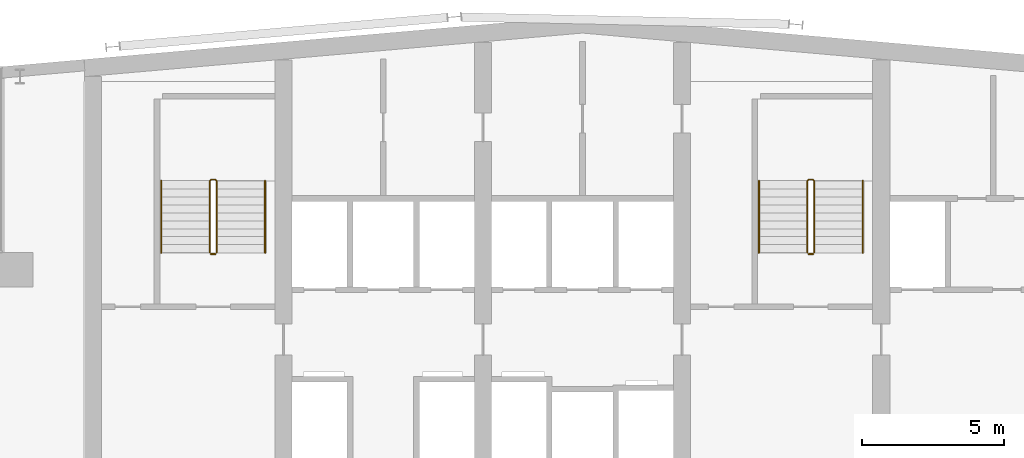
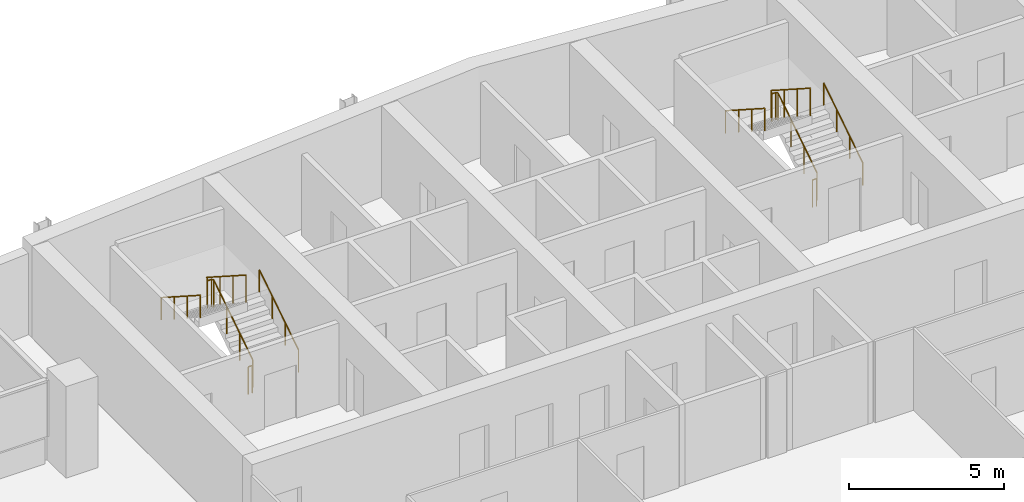
# One storey, part 22 of 22: 8 railings.
"""IFC4 building model written with IfcOpenShell, lengths in metres."""

from ifc_helpers import new_model, si_unit, direction, frame, origin, origin_2d, place, context, subcontext, project, spatial, circle, extrude, material, type_object, element, save


model = new_model("IFC4")

# Units and contexts
model_context = context("Model", 3, precision=1e-05, world=origin(), true_north=direction((0.0, 1.0)))
body_context = subcontext(model_context, "Body", "Model", "MODEL_VIEW")
ifc_project = project(units=[si_unit("LENGTHUNIT", "METRE"), si_unit("AREAUNIT", "SQUARE_METRE"), si_unit("VOLUMEUNIT", "CUBIC_METRE"), si_unit("PLANEANGLEUNIT", "RADIAN"), si_unit("MASSUNIT", "GRAM", prefix="KILO")], contexts=[model_context])

# Site, building, storey
site_placement = place(None, origin())
site = spatial("IfcSite", under=ifc_project, at=site_placement, CompositionType="ELEMENT")
building_placement = place(site_placement, origin())
building = spatial("IfcBuilding", under=site, at=building_placement, Name="Wharfspan Tower", CompositionType="ELEMENT")
storey_placement = place(building_placement, frame((0.0, 0.0, 246.699951)))
storey = spatial("IfcBuildingStorey", under=building, at=storey_placement, Name="L62", CompositionType="ELEMENT", Elevation=246.699951)

# Railings
ifc_material = material(Name="Steel S355J2", Category="steel")
railing_type_1 = type_object("IfcRailingType", Name="Stair guard 1100", PredefinedType="GUARDRAIL", material=ifc_material)
railing_1_placement = place(storey_placement, frame((27.649902, 42.0, 0.179932)))
element("IfcRailing", 1, at=railing_1_placement, inside=storey, type_object=railing_type_1, Name="L62 ST1 stair guard 1", PredefinedType="GUARDRAIL", context=body_context, shape_type="SweptSolid", body=[
    extrude(circle(Radius=0.023926, at=origin_2d()), frame((0.0, 0.0, 1.076172), z_axis=(0.0, 0.841163, 0.540782), x_axis=(-1.0, 0.0, 0.0)), (0.0, 0.0, 1.0), 2.99585),
    extrude(circle(Radius=0.023926, at=origin_2d()), frame((0.0, 2.52002, 2.696289), z_axis=(-0.705376, 0.708834, 0.0), x_axis=(-0.708834, -0.705376, 0.0)), (0.0, 0.0, 1.0), 0.070557),
    extrude(circle(Radius=0.023926, at=origin_2d()), frame((-0.049805, 2.570068, 2.696289), z_axis=(-1.0, 0.0, 0.0), x_axis=(0.0, -1.0, 0.0)), (0.0, 0.0, 1.0), 0.150146),
    extrude(circle(Radius=0.023926, at=origin_2d()), frame((-0.199951, 2.570068, 2.696289), z_axis=(-0.258848, -0.258848, 0.930589), x_axis=(0.707107, -0.707107, 0.0)), (0.0, 0.0, 1.0), 0.193359),
    extrude(circle(Radius=0.023926, at=origin_2d()), frame((-0.25, 2.52002, 2.875977), z_axis=(0.0, -0.841163, 0.540782), x_axis=(1.0, 0.0, 0.0)), (0.0, 0.0, 1.0), 2.99585),
    extrude(circle(Radius=0.020996, at=origin_2d()), origin(), (0.0, 0.0, 1.0), 1.052002),
    extrude(circle(Radius=0.020996, at=origin_2d()), frame((0.0, 0.840088, 0.540039)), (0.0, 0.0, 1.0), 1.052002),
    extrude(circle(Radius=0.020996, at=origin_2d()), frame((0.0, 1.679932, 1.080078)), (0.0, 0.0, 1.0), 1.052002),
    extrude(circle(Radius=0.020996, at=origin_2d()), frame((0.0, 2.52002, 1.620117)), (0.0, 0.0, 1.0), 1.052002),
    extrude(circle(Radius=0.020996, at=origin_2d()), frame((-0.049805, 2.570068, 1.620117)), (0.0, 0.0, 1.0), 1.052002),
    extrude(circle(Radius=0.020996, at=origin_2d()), frame((-0.199951, 2.570068, 1.620117)), (0.0, 0.0, 1.0), 1.052002),
    extrude(circle(Radius=0.020996, at=origin_2d()), frame((-0.25, 2.52002, 1.800049)), (0.0, 0.0, 1.0), 1.052002),
    extrude(circle(Radius=0.020996, at=origin_2d()), frame((-0.25, 1.679932, 2.340088)), (0.0, 0.0, 1.0), 1.052002),
    extrude(circle(Radius=0.020996, at=origin_2d()), frame((-0.25, 0.840088, 2.880127)), (0.0, 0.0, 1.0), 1.052002),
    extrude(circle(Radius=0.020996, at=origin_2d()), frame((-0.25, 0.0, 3.420166)), (0.0, 0.0, 1.0), 1.052002),
])
railing_2_placement = place(storey_placement, frame((27.600098, 41.949951, 0.0)))
element("IfcRailing", 2, at=railing_2_placement, inside=storey, type_object=railing_type_1, Name="L62 ST1 stair guard 2", PredefinedType="GUARDRAIL", context=body_context, shape_type="SweptSolid", body=[
    extrude(circle(Radius=0.023926, at=origin_2d()), frame((0.0, 0.0, 1.076172), z_axis=(-1.0, 0.0, 0.0), x_axis=(0.0, -1.0, 0.0)), (0.0, 0.0, 1.0), 0.150146),
    extrude(circle(Radius=0.020996, at=origin_2d()), origin(), (0.0, 0.0, 1.0), 1.052002),
    extrude(circle(Radius=0.020996, at=origin_2d()), frame((-0.150146, 0.0, 0.0)), (0.0, 0.0, 1.0), 1.052002),
])
railing_3_placement = place(storey_placement, frame((48.649902, 42.0, 0.179932)))
element("IfcRailing", 3, at=railing_3_placement, inside=storey, type_object=railing_type_1, Name="L62 ST2 stair guard 1", PredefinedType="GUARDRAIL", context=body_context, shape_type="SweptSolid", body=[
    extrude(circle(Radius=0.023926, at=origin_2d()), frame((0.0, 0.0, 1.076172), z_axis=(0.0, 0.841163, 0.540782), x_axis=(-1.0, 0.0, 0.0)), (0.0, 0.0, 1.0), 2.99585),
    extrude(circle(Radius=0.023926, at=origin_2d()), frame((0.0, 2.52002, 2.696289), z_axis=(-0.705376, 0.708834, 0.0), x_axis=(-0.708834, -0.705376, 0.0)), (0.0, 0.0, 1.0), 0.070557),
    extrude(circle(Radius=0.023926, at=origin_2d()), frame((-0.049805, 2.570068, 2.696289), z_axis=(-1.0, 0.0, 0.0), x_axis=(0.0, -1.0, 0.0)), (0.0, 0.0, 1.0), 0.150146),
    extrude(circle(Radius=0.023926, at=origin_2d()), frame((-0.199951, 2.570068, 2.696289), z_axis=(-0.258848, -0.258848, 0.930589), x_axis=(0.707107, -0.707107, 0.0)), (0.0, 0.0, 1.0), 0.193359),
    extrude(circle(Radius=0.023926, at=origin_2d()), frame((-0.25, 2.52002, 2.875977), z_axis=(0.0, -0.841163, 0.540782), x_axis=(1.0, 0.0, 0.0)), (0.0, 0.0, 1.0), 2.99585),
    extrude(circle(Radius=0.020996, at=origin_2d()), origin(), (0.0, 0.0, 1.0), 1.052002),
    extrude(circle(Radius=0.020996, at=origin_2d()), frame((0.0, 0.840088, 0.540039)), (0.0, 0.0, 1.0), 1.052002),
    extrude(circle(Radius=0.020996, at=origin_2d()), frame((0.0, 1.679932, 1.080078)), (0.0, 0.0, 1.0), 1.052002),
    extrude(circle(Radius=0.020996, at=origin_2d()), frame((0.0, 2.52002, 1.620117)), (0.0, 0.0, 1.0), 1.052002),
    extrude(circle(Radius=0.020996, at=origin_2d()), frame((-0.049805, 2.570068, 1.620117)), (0.0, 0.0, 1.0), 1.052002),
    extrude(circle(Radius=0.020996, at=origin_2d()), frame((-0.199951, 2.570068, 1.620117)), (0.0, 0.0, 1.0), 1.052002),
    extrude(circle(Radius=0.020996, at=origin_2d()), frame((-0.25, 2.52002, 1.800049)), (0.0, 0.0, 1.0), 1.052002),
    extrude(circle(Radius=0.020996, at=origin_2d()), frame((-0.25, 1.679932, 2.340088)), (0.0, 0.0, 1.0), 1.052002),
    extrude(circle(Radius=0.020996, at=origin_2d()), frame((-0.25, 0.840088, 2.880127)), (0.0, 0.0, 1.0), 1.052002),
    extrude(circle(Radius=0.020996, at=origin_2d()), frame((-0.25, 0.0, 3.420166)), (0.0, 0.0, 1.0), 1.052002),
])
railing_4_placement = place(storey_placement, frame((48.600098, 41.949951, 0.0)))
element("IfcRailing", 4, at=railing_4_placement, inside=storey, type_object=railing_type_1, Name="L62 ST2 stair guard 2", PredefinedType="GUARDRAIL", context=body_context, shape_type="SweptSolid", body=[
    extrude(circle(Radius=0.023926, at=origin_2d()), frame((0.0, 0.0, 1.076172), z_axis=(-1.0, 0.0, 0.0), x_axis=(0.0, -1.0, 0.0)), (0.0, 0.0, 1.0), 0.150146),
    extrude(circle(Radius=0.020996, at=origin_2d()), origin(), (0.0, 0.0, 1.0), 1.052002),
    extrude(circle(Radius=0.020996, at=origin_2d()), frame((-0.150146, 0.0, 0.0)), (0.0, 0.0, 1.0), 1.052002),
])
railing_type_2 = type_object("IfcRailingType", Name="Stair handrail 900", PredefinedType="HANDRAIL", material=ifc_material)
railing_5_placement = place(storey_placement, frame((29.350098, 42.0, 0.179932)))
element("IfcRailing", 5, at=railing_5_placement, inside=storey, type_object=railing_type_2, Name="L62 ST1 stair handrail 1", PredefinedType="HANDRAIL", context=body_context, shape_type="SweptSolid", body=[
    extrude(circle(Radius=0.023926, at=origin_2d()), frame((0.0, 0.0, 0.875977), z_axis=(0.0, 0.841163, 0.540782), x_axis=(-1.0, 0.0, 0.0)), (0.0, 0.0, 1.0), 2.99585),
    extrude(circle(Radius=0.020996, at=origin_2d()), origin(), (0.0, 0.0, 1.0), 0.851807),
    extrude(circle(Radius=0.020996, at=origin_2d()), frame((0.0, 0.840088, 0.540039)), (0.0, 0.0, 1.0), 0.851807),
    extrude(circle(Radius=0.020996, at=origin_2d()), frame((0.0, 1.679932, 1.080078)), (0.0, 0.0, 1.0), 0.851807),
    extrude(circle(Radius=0.020996, at=origin_2d()), frame((0.0, 2.52002, 1.620117)), (0.0, 0.0, 1.0), 0.851807),
])
railing_6_placement = place(storey_placement, frame((25.699951, 44.52002, 1.97998)))
element("IfcRailing", 6, at=railing_6_placement, inside=storey, type_object=railing_type_2, Name="L62 ST1 stair handrail 2", PredefinedType="HANDRAIL", context=body_context, shape_type="SweptSolid", body=[
    extrude(circle(Radius=0.023926, at=origin_2d()), frame((0.0, 0.0, 0.875977), z_axis=(0.0, -0.841163, 0.540782), x_axis=(1.0, 0.0, 0.0)), (0.0, 0.0, 1.0), 2.99585),
    extrude(circle(Radius=0.020996, at=origin_2d()), origin(), (0.0, 0.0, 1.0), 0.851807),
    extrude(circle(Radius=0.020996, at=origin_2d()), frame((0.0, -0.840088, 0.540039)), (0.0, 0.0, 1.0), 0.851807),
    extrude(circle(Radius=0.020996, at=origin_2d()), frame((0.0, -1.679932, 1.080078)), (0.0, 0.0, 1.0), 0.851807),
    extrude(circle(Radius=0.020996, at=origin_2d()), frame((0.0, -2.52002, 1.620117)), (0.0, 0.0, 1.0), 0.851807),
])
railing_7_placement = place(storey_placement, frame((50.350098, 42.0, 0.179932)))
element("IfcRailing", 7, at=railing_7_placement, inside=storey, type_object=railing_type_2, Name="L62 ST2 stair handrail 1", PredefinedType="HANDRAIL", context=body_context, shape_type="SweptSolid", body=[
    extrude(circle(Radius=0.023926, at=origin_2d()), frame((0.0, 0.0, 0.875977), z_axis=(0.0, 0.841163, 0.540782), x_axis=(-1.0, 0.0, 0.0)), (0.0, 0.0, 1.0), 2.99585),
    extrude(circle(Radius=0.020996, at=origin_2d()), origin(), (0.0, 0.0, 1.0), 0.851807),
    extrude(circle(Radius=0.020996, at=origin_2d()), frame((0.0, 0.840088, 0.540039)), (0.0, 0.0, 1.0), 0.851807),
    extrude(circle(Radius=0.020996, at=origin_2d()), frame((0.0, 1.679932, 1.080078)), (0.0, 0.0, 1.0), 0.851807),
    extrude(circle(Radius=0.020996, at=origin_2d()), frame((0.0, 2.52002, 1.620117)), (0.0, 0.0, 1.0), 0.851807),
])
railing_8_placement = place(storey_placement, frame((46.699951, 44.52002, 1.97998)))
element("IfcRailing", 8, at=railing_8_placement, inside=storey, type_object=railing_type_2, Name="L62 ST2 stair handrail 2", PredefinedType="HANDRAIL", context=body_context, shape_type="SweptSolid", body=[
    extrude(circle(Radius=0.023926, at=origin_2d()), frame((0.0, 0.0, 0.875977), z_axis=(0.0, -0.841163, 0.540782), x_axis=(1.0, 0.0, 0.0)), (0.0, 0.0, 1.0), 2.99585),
    extrude(circle(Radius=0.020996, at=origin_2d()), origin(), (0.0, 0.0, 1.0), 0.851807),
    extrude(circle(Radius=0.020996, at=origin_2d()), frame((0.0, -0.840088, 0.540039)), (0.0, 0.0, 1.0), 0.851807),
    extrude(circle(Radius=0.020996, at=origin_2d()), frame((0.0, -1.679932, 1.080078)), (0.0, 0.0, 1.0), 0.851807),
    extrude(circle(Radius=0.020996, at=origin_2d()), frame((0.0, -2.52002, 1.620117)), (0.0, 0.0, 1.0), 0.851807),
])

save(model, "model.ifc")
